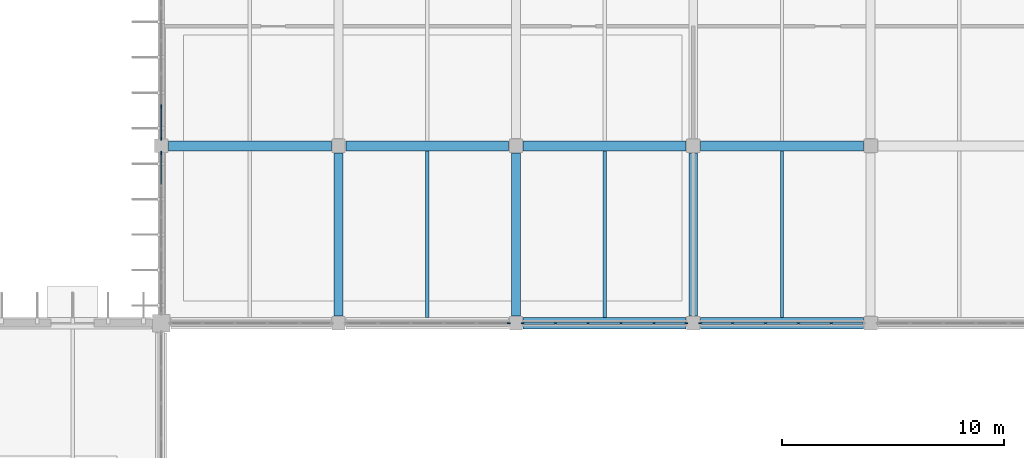
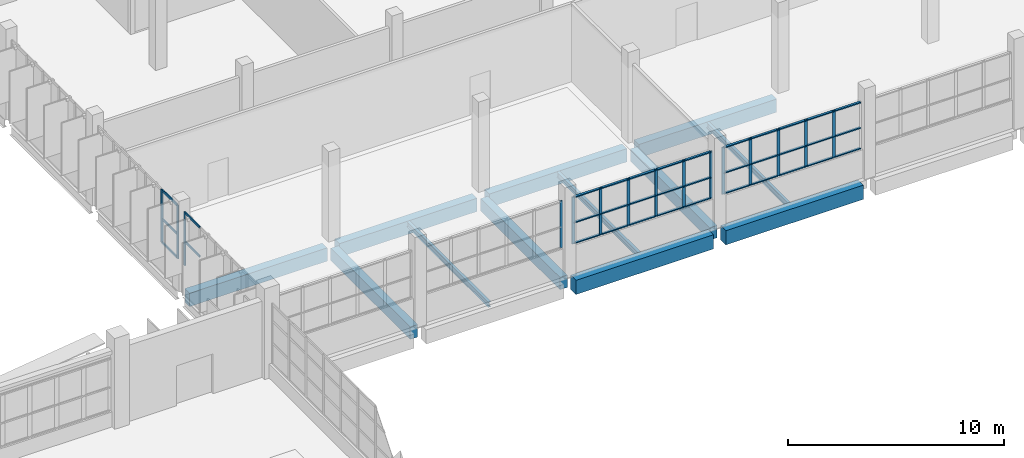
# One storey, part 35 of 103: 50 members, 12 beams, 5 elements without a shape of their own.
"""IFC4 building model written with IfcOpenShell, lengths in metres."""

from ifc_helpers import new_model, si_unit, direction, frame, origin, origin_2d, place, context, subcontext, project, spatial, rectangle, i_section, extrude, material, layer, layer_set, material_profile, profile_set, type_object, element, aggregate, save


model = new_model("IFC4")

# Units and contexts
model_context = context("Model", 3, precision=1e-05, world=origin(), true_north=direction((0.0, 1.0)))
body_context = subcontext(model_context, "Body", "Model", "MODEL_VIEW")
ifc_project = project(units=[si_unit("LENGTHUNIT", "METRE"), si_unit("AREAUNIT", "SQUARE_METRE"), si_unit("VOLUMEUNIT", "CUBIC_METRE"), si_unit("PLANEANGLEUNIT", "RADIAN"), si_unit("MASSUNIT", "GRAM", prefix="KILO")], contexts=[model_context])

# Site, building, storey
site_placement = place(None, origin())
site = spatial("IfcSite", under=ifc_project, at=site_placement, CompositionType="ELEMENT")
building_placement = place(site_placement, origin())
building = spatial("IfcBuilding", under=site, at=building_placement, Name="Drelvana Railside Aquatics Centre", CompositionType="ELEMENT")
storey_placement = place(building_placement, origin())
storey = spatial("IfcBuildingStorey", under=building, at=storey_placement, Name="L00", CompositionType="ELEMENT", Elevation=0.0)

# Curtain wall, member
ifc_material_1 = material(Name="Bronze-anodised aluminium curtain wall", Category="aluminium")
ifc_layer = layer(ifc_material_1, 0.1650390625, Name="Bronze-anodised aluminium curtain wall")
ifc_layer_set = layer_set([ifc_layer], Name="Bronze-anodised aluminium curtain wall")
curtain_wall_type = type_object("IfcCurtainWallType", Name="CW-Z5-COURT", PredefinedType="NOTDEFINED", material=ifc_layer_set)
curtain_wall_1_placement = place(storey_placement, origin())
curtain_wall_1 = element("IfcCurtainWall", 1, at=curtain_wall_1_placement, inside=storey, type_object=curtain_wall_type, Name="Curtain wall CW-05-117", PredefinedType="NOTDEFINED")
ifc_material_2 = material(Name="Bronze-anodised aluminium 6063-T6", Category="aluminium")
ifc_material_profile_1 = material_profile(ifc_material_2, rectangle(XDim=0.06005859375, YDim=0.14990234375, at=origin_2d()), Name="ALU-M 60x150")
ifc_profile_set_1 = profile_set([ifc_material_profile_1], Name="Bronze-anodised aluminium 6063-T6")
member_type_1 = type_object("IfcMemberType", Name="CW-Z5-COURT-MUL", PredefinedType="MULLION", material=ifc_profile_set_1)
member_1_placement = place(storey_placement, frame((111.676025390625, 84.0, 1.593994140625), z_axis=(0.0, 0.0, 1.0), x_axis=(0.0, 1.0, 0.0)))
member_1 = element("IfcMember", 2, at=member_1_placement, type_object=member_type_1, Name="CW-05 mullion 6", PredefinedType="MULLION", context=body_context, shape_type="SweptSolid", body=[
    extrude(rectangle(XDim=0.06005859375, YDim=0.14990234375, at=origin_2d()), origin(), (0.0, 0.0, 1.0), 2.656005859375),
])
aggregate(curtain_wall_1, [member_1])

# Curtain wall, members
curtain_wall_2_placement = place(storey_placement, origin())
curtain_wall_2 = element("IfcCurtainWall", 3, at=curtain_wall_2_placement, inside=storey, type_object=curtain_wall_type, Name="Curtain wall CW-05-119", PredefinedType="NOTDEFINED")
member_2_placement = place(storey_placement, frame((112.323974609375, 84.0, 1.593994140625), z_axis=(0.0, 0.0, 1.0), x_axis=(0.0, 1.0, 0.0)))
member_2 = element("IfcMember", 4, at=member_2_placement, type_object=member_type_1, Name="CW-05 mullion 1", PredefinedType="MULLION", context=body_context, shape_type="SweptSolid", body=[
    extrude(rectangle(XDim=0.06005859375, YDim=0.14990234375, at=origin_2d()), origin(), (0.0, 0.0, 1.0), 2.656005859375),
])
member_3_placement = place(storey_placement, frame((113.7763671875, 84.0, 1.593994140625), z_axis=(0.0, 0.0, 1.0), x_axis=(0.0, 1.0, 0.0)))
member_3 = element("IfcMember", 5, at=member_3_placement, type_object=member_type_1, Name="CW-05 mullion 2", PredefinedType="MULLION", context=body_context, shape_type="SweptSolid", body=[
    extrude(rectangle(XDim=0.06005859375, YDim=0.14990234375, at=origin_2d()), origin(), (0.0, 0.0, 1.0), 2.656005859375),
])
member_4_placement = place(storey_placement, frame((115.2587890625, 84.0, 1.593994140625), z_axis=(0.0, 0.0, 1.0), x_axis=(0.0, 1.0, 0.0)))
member_4 = element("IfcMember", 6, at=member_4_placement, type_object=member_type_1, Name="CW-05 mullion 3", PredefinedType="MULLION", context=body_context, shape_type="SweptSolid", body=[
    extrude(rectangle(XDim=0.06005859375, YDim=0.14990234375, at=origin_2d()), origin(), (0.0, 0.0, 1.0), 2.656005859375),
])
member_5_placement = place(storey_placement, frame((116.7412109375, 84.0, 1.593994140625), z_axis=(0.0, 0.0, 1.0), x_axis=(0.0, 1.0, 0.0)))
member_5 = element("IfcMember", 7, at=member_5_placement, type_object=member_type_1, Name="CW-05 mullion 4", PredefinedType="MULLION", context=body_context, shape_type="SweptSolid", body=[
    extrude(rectangle(XDim=0.06005859375, YDim=0.14990234375, at=origin_2d()), origin(), (0.0, 0.0, 1.0), 2.656005859375),
])
member_6_placement = place(storey_placement, frame((118.2236328125, 84.0, 1.593994140625), z_axis=(0.0, 0.0, 1.0), x_axis=(0.0, 1.0, 0.0)))
member_6 = element("IfcMember", 8, at=member_6_placement, type_object=member_type_1, Name="CW-05 mullion 5", PredefinedType="MULLION", context=body_context, shape_type="SweptSolid", body=[
    extrude(rectangle(XDim=0.06005859375, YDim=0.14990234375, at=origin_2d()), origin(), (0.0, 0.0, 1.0), 2.656005859375),
])
member_7_placement = place(storey_placement, frame((119.676025390625, 84.0, 1.593994140625), z_axis=(0.0, 0.0, 1.0), x_axis=(0.0, 1.0, 0.0)))
member_7 = element("IfcMember", 9, at=member_7_placement, type_object=member_type_1, Name="CW-05 mullion 6", PredefinedType="MULLION", context=body_context, shape_type="SweptSolid", body=[
    extrude(rectangle(XDim=0.06005859375, YDim=0.14990234375, at=origin_2d()), origin(), (0.0, 0.0, 1.0), 2.656005859375),
])

curtain_wall_3_placement = place(storey_placement, origin())
curtain_wall_3 = element("IfcCurtainWall", 10, at=curtain_wall_3_placement, inside=storey, type_object=curtain_wall_type, Name="Curtain wall CW-05-121", PredefinedType="NOTDEFINED")
member_8_placement = place(storey_placement, frame((120.323974609375, 84.0, 1.593994140625), z_axis=(0.0, 0.0, 1.0), x_axis=(0.0, 1.0, 0.0)))
member_8 = element("IfcMember", 11, at=member_8_placement, type_object=member_type_1, Name="CW-05 mullion 1", PredefinedType="MULLION", context=body_context, shape_type="SweptSolid", body=[
    extrude(rectangle(XDim=0.06005859375, YDim=0.14990234375, at=origin_2d()), origin(), (0.0, 0.0, 1.0), 2.656005859375),
])
member_9_placement = place(storey_placement, frame((121.7763671875, 84.0, 1.593994140625), z_axis=(0.0, 0.0, 1.0), x_axis=(0.0, 1.0, 0.0)))
member_9 = element("IfcMember", 12, at=member_9_placement, type_object=member_type_1, Name="CW-05 mullion 2", PredefinedType="MULLION", context=body_context, shape_type="SweptSolid", body=[
    extrude(rectangle(XDim=0.06005859375, YDim=0.14990234375, at=origin_2d()), origin(), (0.0, 0.0, 1.0), 2.656005859375),
])
member_10_placement = place(storey_placement, frame((123.2587890625, 84.0, 1.593994140625), z_axis=(0.0, 0.0, 1.0), x_axis=(0.0, 1.0, 0.0)))
member_10 = element("IfcMember", 13, at=member_10_placement, type_object=member_type_1, Name="CW-05 mullion 3", PredefinedType="MULLION", context=body_context, shape_type="SweptSolid", body=[
    extrude(rectangle(XDim=0.06005859375, YDim=0.14990234375, at=origin_2d()), origin(), (0.0, 0.0, 1.0), 2.656005859375),
])
member_11_placement = place(storey_placement, frame((124.7412109375, 84.0, 1.593994140625), z_axis=(0.0, 0.0, 1.0), x_axis=(0.0, 1.0, 0.0)))
member_11 = element("IfcMember", 14, at=member_11_placement, type_object=member_type_1, Name="CW-05 mullion 4", PredefinedType="MULLION", context=body_context, shape_type="SweptSolid", body=[
    extrude(rectangle(XDim=0.06005859375, YDim=0.14990234375, at=origin_2d()), origin(), (0.0, 0.0, 1.0), 2.656005859375),
])
member_12_placement = place(storey_placement, frame((126.2236328125, 84.0, 1.593994140625), z_axis=(0.0, 0.0, 1.0), x_axis=(0.0, 1.0, 0.0)))
member_12 = element("IfcMember", 15, at=member_12_placement, type_object=member_type_1, Name="CW-05 mullion 5", PredefinedType="MULLION", context=body_context, shape_type="SweptSolid", body=[
    extrude(rectangle(XDim=0.06005859375, YDim=0.14990234375, at=origin_2d()), origin(), (0.0, 0.0, 1.0), 2.656005859375),
])

# Curtain wall, member
curtain_wall_4_placement = place(storey_placement, origin())
curtain_wall_4 = element("IfcCurtainWall", 16, at=curtain_wall_4_placement, inside=storey, type_object=curtain_wall_type, Name="Curtain wall CW-05-127", PredefinedType="NOTDEFINED")
member_13_placement = place(storey_placement, frame((96.0, 91.676025390625, 1.444091796875), z_axis=(0.0, 0.0, 1.0), x_axis=(-1.0, 0.0, 0.0)))
member_13 = element("IfcMember", 17, at=member_13_placement, type_object=member_type_1, Name="CW-05 mullion 6", PredefinedType="MULLION", context=body_context, shape_type="SweptSolid", body=[
    extrude(rectangle(XDim=0.06005859375, YDim=0.14990234375, at=origin_2d()), origin(), (0.0, 0.0, 1.0), 3.005859375),
])

# Curtain wall, members
curtain_wall_5_placement = place(storey_placement, origin())
curtain_wall_5 = element("IfcCurtainWall", 18, at=curtain_wall_5_placement, inside=storey, type_object=curtain_wall_type, Name="Curtain wall CW-05-129", PredefinedType="NOTDEFINED")
member_14_placement = place(storey_placement, frame((96.0, 92.323974609375, 1.444091796875), z_axis=(0.0, 0.0, 1.0), x_axis=(-1.0, 0.0, 0.0)))
member_14 = element("IfcMember", 19, at=member_14_placement, type_object=member_type_1, Name="CW-05 mullion 1", PredefinedType="MULLION", context=body_context, shape_type="SweptSolid", body=[
    extrude(rectangle(XDim=0.06005859375, YDim=0.14990234375, at=origin_2d()), origin(), (0.0, 0.0, 1.0), 3.005859375),
])
member_15_placement = place(storey_placement, frame((96.0, 93.7763671875, 1.444091796875), z_axis=(0.0, 0.0, 1.0), x_axis=(-1.0, 0.0, 0.0)))
member_15 = element("IfcMember", 20, at=member_15_placement, type_object=member_type_1, Name="CW-05 mullion 2", PredefinedType="MULLION", context=body_context, shape_type="SweptSolid", body=[
    extrude(rectangle(XDim=0.06005859375, YDim=0.14990234375, at=origin_2d()), origin(), (0.0, 0.0, 1.0), 3.005859375),
])

# Member
ifc_material_profile_2 = material_profile(ifc_material_2, rectangle(XDim=0.1201171875, YDim=0.06005859375, at=origin_2d()), Name="ALU-T 60x120")
ifc_profile_set_2 = profile_set([ifc_material_profile_2], Name="Bronze-anodised aluminium 6063-T6")
member_type_2 = type_object("IfcMemberType", Name="CW-Z5-COURT-TRN", PredefinedType="USERDEFINED", material=ifc_profile_set_2)
member_16_placement = place(storey_placement, frame((112.34912109375, 84.0, 1.6240234375), z_axis=(1.0, 0.0, 0.0), x_axis=(0.0, 1.0, 0.0)))
member_16 = element("IfcMember", 21, at=member_16_placement, type_object=member_type_2, Name="CW-05 transom 1.1", ObjectType="TRANSOM", PredefinedType="USERDEFINED", context=body_context, shape_type="SweptSolid", body=[
    extrude(rectangle(XDim=0.1201171875, YDim=0.06005859375, at=origin_2d()), origin(), (0.0, 0.0, 1.0), 1.40234375),
])

member_17_placement = place(storey_placement, frame((112.34912109375, 84.0, 2.7890625), z_axis=(1.0, 0.0, 0.0), x_axis=(0.0, 1.0, 0.0)))
member_17 = element("IfcMember", 22, at=member_17_placement, type_object=member_type_2, Name="CW-05 transom 1.2", ObjectType="TRANSOM", PredefinedType="USERDEFINED", context=body_context, shape_type="SweptSolid", body=[
    extrude(rectangle(XDim=0.1201171875, YDim=0.06005859375, at=origin_2d()), origin(), (0.0, 0.0, 1.0), 1.40234375),
])

member_18_placement = place(storey_placement, frame((112.34912109375, 84.0, 4.219970703125), z_axis=(1.0, 0.0, 0.0), x_axis=(0.0, 1.0, 0.0)))
member_18 = element("IfcMember", 23, at=member_18_placement, type_object=member_type_2, Name="CW-05 transom 1.3", ObjectType="TRANSOM", PredefinedType="USERDEFINED", context=body_context, shape_type="SweptSolid", body=[
    extrude(rectangle(XDim=0.1201171875, YDim=0.06005859375, at=origin_2d()), origin(), (0.0, 0.0, 1.0), 1.40234375),
])

member_19_placement = place(storey_placement, frame((113.801513671875, 84.0, 1.6240234375), z_axis=(1.0, 0.0, 0.0), x_axis=(0.0, 1.0, 0.0)))
member_19 = element("IfcMember", 24, at=member_19_placement, type_object=member_type_2, Name="CW-05 transom 2.1", ObjectType="TRANSOM", PredefinedType="USERDEFINED", context=body_context, shape_type="SweptSolid", body=[
    extrude(rectangle(XDim=0.1201171875, YDim=0.06005859375, at=origin_2d()), origin(), (0.0, 0.0, 1.0), 1.432373046875),
])

member_20_placement = place(storey_placement, frame((113.801513671875, 84.0, 2.7890625), z_axis=(1.0, 0.0, 0.0), x_axis=(0.0, 1.0, 0.0)))
member_20 = element("IfcMember", 25, at=member_20_placement, type_object=member_type_2, Name="CW-05 transom 2.2", ObjectType="TRANSOM", PredefinedType="USERDEFINED", context=body_context, shape_type="SweptSolid", body=[
    extrude(rectangle(XDim=0.1201171875, YDim=0.06005859375, at=origin_2d()), origin(), (0.0, 0.0, 1.0), 1.432373046875),
])

member_21_placement = place(storey_placement, frame((113.801513671875, 84.0, 4.219970703125), z_axis=(1.0, 0.0, 0.0), x_axis=(0.0, 1.0, 0.0)))
member_21 = element("IfcMember", 26, at=member_21_placement, type_object=member_type_2, Name="CW-05 transom 2.3", ObjectType="TRANSOM", PredefinedType="USERDEFINED", context=body_context, shape_type="SweptSolid", body=[
    extrude(rectangle(XDim=0.1201171875, YDim=0.06005859375, at=origin_2d()), origin(), (0.0, 0.0, 1.0), 1.432373046875),
])

member_22_placement = place(storey_placement, frame((115.28369140625, 84.0, 1.6240234375), z_axis=(1.0, 0.0, 0.0), x_axis=(0.0, 1.0, 0.0)))
member_22 = element("IfcMember", 27, at=member_22_placement, type_object=member_type_2, Name="CW-05 transom 3.1", ObjectType="TRANSOM", PredefinedType="USERDEFINED", context=body_context, shape_type="SweptSolid", body=[
    extrude(rectangle(XDim=0.1201171875, YDim=0.06005859375, at=origin_2d()), origin(), (0.0, 0.0, 1.0), 1.4326171875),
])

member_23_placement = place(storey_placement, frame((115.28369140625, 84.0, 2.7890625), z_axis=(1.0, 0.0, 0.0), x_axis=(0.0, 1.0, 0.0)))
member_23 = element("IfcMember", 28, at=member_23_placement, type_object=member_type_2, Name="CW-05 transom 3.2", ObjectType="TRANSOM", PredefinedType="USERDEFINED", context=body_context, shape_type="SweptSolid", body=[
    extrude(rectangle(XDim=0.1201171875, YDim=0.06005859375, at=origin_2d()), origin(), (0.0, 0.0, 1.0), 1.4326171875),
])

member_24_placement = place(storey_placement, frame((115.28369140625, 84.0, 4.219970703125), z_axis=(1.0, 0.0, 0.0), x_axis=(0.0, 1.0, 0.0)))
member_24 = element("IfcMember", 29, at=member_24_placement, type_object=member_type_2, Name="CW-05 transom 3.3", ObjectType="TRANSOM", PredefinedType="USERDEFINED", context=body_context, shape_type="SweptSolid", body=[
    extrude(rectangle(XDim=0.1201171875, YDim=0.06005859375, at=origin_2d()), origin(), (0.0, 0.0, 1.0), 1.4326171875),
])

member_25_placement = place(storey_placement, frame((116.76611328125, 84.0, 1.6240234375), z_axis=(1.0, 0.0, 0.0), x_axis=(0.0, 1.0, 0.0)))
member_25 = element("IfcMember", 30, at=member_25_placement, type_object=member_type_2, Name="CW-05 transom 4.1", ObjectType="TRANSOM", PredefinedType="USERDEFINED", context=body_context, shape_type="SweptSolid", body=[
    extrude(rectangle(XDim=0.1201171875, YDim=0.06005859375, at=origin_2d()), origin(), (0.0, 0.0, 1.0), 1.432373046875),
])

member_26_placement = place(storey_placement, frame((116.76611328125, 84.0, 2.7890625), z_axis=(1.0, 0.0, 0.0), x_axis=(0.0, 1.0, 0.0)))
member_26 = element("IfcMember", 31, at=member_26_placement, type_object=member_type_2, Name="CW-05 transom 4.2", ObjectType="TRANSOM", PredefinedType="USERDEFINED", context=body_context, shape_type="SweptSolid", body=[
    extrude(rectangle(XDim=0.1201171875, YDim=0.06005859375, at=origin_2d()), origin(), (0.0, 0.0, 1.0), 1.432373046875),
])

member_27_placement = place(storey_placement, frame((116.76611328125, 84.0, 4.219970703125), z_axis=(1.0, 0.0, 0.0), x_axis=(0.0, 1.0, 0.0)))
member_27 = element("IfcMember", 32, at=member_27_placement, type_object=member_type_2, Name="CW-05 transom 4.3", ObjectType="TRANSOM", PredefinedType="USERDEFINED", context=body_context, shape_type="SweptSolid", body=[
    extrude(rectangle(XDim=0.1201171875, YDim=0.06005859375, at=origin_2d()), origin(), (0.0, 0.0, 1.0), 1.432373046875),
])

member_28_placement = place(storey_placement, frame((118.24853515625, 84.0, 1.6240234375), z_axis=(1.0, 0.0, 0.0), x_axis=(0.0, 1.0, 0.0)))
member_28 = element("IfcMember", 33, at=member_28_placement, type_object=member_type_2, Name="CW-05 transom 5.1", ObjectType="TRANSOM", PredefinedType="USERDEFINED", context=body_context, shape_type="SweptSolid", body=[
    extrude(rectangle(XDim=0.1201171875, YDim=0.06005859375, at=origin_2d()), origin(), (0.0, 0.0, 1.0), 1.40234375),
])

member_29_placement = place(storey_placement, frame((118.24853515625, 84.0, 2.7890625), z_axis=(1.0, 0.0, 0.0), x_axis=(0.0, 1.0, 0.0)))
member_29 = element("IfcMember", 34, at=member_29_placement, type_object=member_type_2, Name="CW-05 transom 5.2", ObjectType="TRANSOM", PredefinedType="USERDEFINED", context=body_context, shape_type="SweptSolid", body=[
    extrude(rectangle(XDim=0.1201171875, YDim=0.06005859375, at=origin_2d()), origin(), (0.0, 0.0, 1.0), 1.40234375),
])

member_30_placement = place(storey_placement, frame((118.24853515625, 84.0, 4.219970703125), z_axis=(1.0, 0.0, 0.0), x_axis=(0.0, 1.0, 0.0)))
member_30 = element("IfcMember", 35, at=member_30_placement, type_object=member_type_2, Name="CW-05 transom 5.3", ObjectType="TRANSOM", PredefinedType="USERDEFINED", context=body_context, shape_type="SweptSolid", body=[
    extrude(rectangle(XDim=0.1201171875, YDim=0.06005859375, at=origin_2d()), origin(), (0.0, 0.0, 1.0), 1.40234375),
])

aggregate(curtain_wall_2, [member_2, member_3, member_4, member_5, member_6, member_7, member_16, member_17, member_18, member_19, member_20, member_21, member_22, member_23, member_24, member_25, member_26, member_27, member_28, member_29, member_30])

member_31_placement = place(storey_placement, frame((120.34912109375, 84.0, 1.6240234375), z_axis=(1.0, 0.0, 0.0), x_axis=(0.0, 1.0, 0.0)))
member_31 = element("IfcMember", 36, at=member_31_placement, type_object=member_type_2, Name="CW-05 transom 1.1", ObjectType="TRANSOM", PredefinedType="USERDEFINED", context=body_context, shape_type="SweptSolid", body=[
    extrude(rectangle(XDim=0.1201171875, YDim=0.06005859375, at=origin_2d()), origin(), (0.0, 0.0, 1.0), 1.40234375),
])

member_32_placement = place(storey_placement, frame((120.34912109375, 84.0, 2.7890625), z_axis=(1.0, 0.0, 0.0), x_axis=(0.0, 1.0, 0.0)))
member_32 = element("IfcMember", 37, at=member_32_placement, type_object=member_type_2, Name="CW-05 transom 1.2", ObjectType="TRANSOM", PredefinedType="USERDEFINED", context=body_context, shape_type="SweptSolid", body=[
    extrude(rectangle(XDim=0.1201171875, YDim=0.06005859375, at=origin_2d()), origin(), (0.0, 0.0, 1.0), 1.40234375),
])

member_33_placement = place(storey_placement, frame((120.34912109375, 84.0, 4.219970703125), z_axis=(1.0, 0.0, 0.0), x_axis=(0.0, 1.0, 0.0)))
member_33 = element("IfcMember", 38, at=member_33_placement, type_object=member_type_2, Name="CW-05 transom 1.3", ObjectType="TRANSOM", PredefinedType="USERDEFINED", context=body_context, shape_type="SweptSolid", body=[
    extrude(rectangle(XDim=0.1201171875, YDim=0.06005859375, at=origin_2d()), origin(), (0.0, 0.0, 1.0), 1.40234375),
])

member_34_placement = place(storey_placement, frame((121.801513671875, 84.0, 1.6240234375), z_axis=(1.0, 0.0, 0.0), x_axis=(0.0, 1.0, 0.0)))
member_34 = element("IfcMember", 39, at=member_34_placement, type_object=member_type_2, Name="CW-05 transom 2.1", ObjectType="TRANSOM", PredefinedType="USERDEFINED", context=body_context, shape_type="SweptSolid", body=[
    extrude(rectangle(XDim=0.1201171875, YDim=0.06005859375, at=origin_2d()), origin(), (0.0, 0.0, 1.0), 1.432373046875),
])

member_35_placement = place(storey_placement, frame((121.801513671875, 84.0, 2.7890625), z_axis=(1.0, 0.0, 0.0), x_axis=(0.0, 1.0, 0.0)))
member_35 = element("IfcMember", 40, at=member_35_placement, type_object=member_type_2, Name="CW-05 transom 2.2", ObjectType="TRANSOM", PredefinedType="USERDEFINED", context=body_context, shape_type="SweptSolid", body=[
    extrude(rectangle(XDim=0.1201171875, YDim=0.06005859375, at=origin_2d()), origin(), (0.0, 0.0, 1.0), 1.432373046875),
])

member_36_placement = place(storey_placement, frame((121.801513671875, 84.0, 4.219970703125), z_axis=(1.0, 0.0, 0.0), x_axis=(0.0, 1.0, 0.0)))
member_36 = element("IfcMember", 41, at=member_36_placement, type_object=member_type_2, Name="CW-05 transom 2.3", ObjectType="TRANSOM", PredefinedType="USERDEFINED", context=body_context, shape_type="SweptSolid", body=[
    extrude(rectangle(XDim=0.1201171875, YDim=0.06005859375, at=origin_2d()), origin(), (0.0, 0.0, 1.0), 1.432373046875),
])

member_37_placement = place(storey_placement, frame((123.28369140625, 84.0, 1.6240234375), z_axis=(1.0, 0.0, 0.0), x_axis=(0.0, 1.0, 0.0)))
member_37 = element("IfcMember", 42, at=member_37_placement, type_object=member_type_2, Name="CW-05 transom 3.1", ObjectType="TRANSOM", PredefinedType="USERDEFINED", context=body_context, shape_type="SweptSolid", body=[
    extrude(rectangle(XDim=0.1201171875, YDim=0.06005859375, at=origin_2d()), origin(), (0.0, 0.0, 1.0), 1.4326171875),
])

member_38_placement = place(storey_placement, frame((123.28369140625, 84.0, 2.7890625), z_axis=(1.0, 0.0, 0.0), x_axis=(0.0, 1.0, 0.0)))
member_38 = element("IfcMember", 43, at=member_38_placement, type_object=member_type_2, Name="CW-05 transom 3.2", ObjectType="TRANSOM", PredefinedType="USERDEFINED", context=body_context, shape_type="SweptSolid", body=[
    extrude(rectangle(XDim=0.1201171875, YDim=0.06005859375, at=origin_2d()), origin(), (0.0, 0.0, 1.0), 1.4326171875),
])

member_39_placement = place(storey_placement, frame((123.28369140625, 84.0, 4.219970703125), z_axis=(1.0, 0.0, 0.0), x_axis=(0.0, 1.0, 0.0)))
member_39 = element("IfcMember", 44, at=member_39_placement, type_object=member_type_2, Name="CW-05 transom 3.3", ObjectType="TRANSOM", PredefinedType="USERDEFINED", context=body_context, shape_type="SweptSolid", body=[
    extrude(rectangle(XDim=0.1201171875, YDim=0.06005859375, at=origin_2d()), origin(), (0.0, 0.0, 1.0), 1.4326171875),
])

member_40_placement = place(storey_placement, frame((124.76611328125, 84.0, 1.6240234375), z_axis=(1.0, 0.0, 0.0), x_axis=(0.0, 1.0, 0.0)))
member_40 = element("IfcMember", 45, at=member_40_placement, type_object=member_type_2, Name="CW-05 transom 4.1", ObjectType="TRANSOM", PredefinedType="USERDEFINED", context=body_context, shape_type="SweptSolid", body=[
    extrude(rectangle(XDim=0.1201171875, YDim=0.06005859375, at=origin_2d()), origin(), (0.0, 0.0, 1.0), 1.432373046875),
])

member_41_placement = place(storey_placement, frame((124.76611328125, 84.0, 2.7890625), z_axis=(1.0, 0.0, 0.0), x_axis=(0.0, 1.0, 0.0)))
member_41 = element("IfcMember", 46, at=member_41_placement, type_object=member_type_2, Name="CW-05 transom 4.2", ObjectType="TRANSOM", PredefinedType="USERDEFINED", context=body_context, shape_type="SweptSolid", body=[
    extrude(rectangle(XDim=0.1201171875, YDim=0.06005859375, at=origin_2d()), origin(), (0.0, 0.0, 1.0), 1.432373046875),
])

member_42_placement = place(storey_placement, frame((124.76611328125, 84.0, 4.219970703125), z_axis=(1.0, 0.0, 0.0), x_axis=(0.0, 1.0, 0.0)))
member_42 = element("IfcMember", 47, at=member_42_placement, type_object=member_type_2, Name="CW-05 transom 4.3", ObjectType="TRANSOM", PredefinedType="USERDEFINED", context=body_context, shape_type="SweptSolid", body=[
    extrude(rectangle(XDim=0.1201171875, YDim=0.06005859375, at=origin_2d()), origin(), (0.0, 0.0, 1.0), 1.432373046875),
])

member_43_placement = place(storey_placement, frame((126.24853515625, 84.0, 1.6240234375), z_axis=(1.0, 0.0, 0.0), x_axis=(0.0, 1.0, 0.0)))
member_43 = element("IfcMember", 48, at=member_43_placement, type_object=member_type_2, Name="CW-05 transom 5.1", ObjectType="TRANSOM", PredefinedType="USERDEFINED", context=body_context, shape_type="SweptSolid", body=[
    extrude(rectangle(XDim=0.1201171875, YDim=0.06005859375, at=origin_2d()), origin(), (0.0, 0.0, 1.0), 1.40234375),
])

member_44_placement = place(storey_placement, frame((126.24853515625, 84.0, 2.7890625), z_axis=(1.0, 0.0, 0.0), x_axis=(0.0, 1.0, 0.0)))
member_44 = element("IfcMember", 49, at=member_44_placement, type_object=member_type_2, Name="CW-05 transom 5.2", ObjectType="TRANSOM", PredefinedType="USERDEFINED", context=body_context, shape_type="SweptSolid", body=[
    extrude(rectangle(XDim=0.1201171875, YDim=0.06005859375, at=origin_2d()), origin(), (0.0, 0.0, 1.0), 1.40234375),
])

member_45_placement = place(storey_placement, frame((126.24853515625, 84.0, 4.219970703125), z_axis=(1.0, 0.0, 0.0), x_axis=(0.0, 1.0, 0.0)))
member_45 = element("IfcMember", 50, at=member_45_placement, type_object=member_type_2, Name="CW-05 transom 5.3", ObjectType="TRANSOM", PredefinedType="USERDEFINED", context=body_context, shape_type="SweptSolid", body=[
    extrude(rectangle(XDim=0.1201171875, YDim=0.06005859375, at=origin_2d()), origin(), (0.0, 0.0, 1.0), 1.40234375),
])

aggregate(curtain_wall_3, [member_8, member_9, member_10, member_11, member_12, member_31, member_32, member_33, member_34, member_35, member_36, member_37, member_38, member_39, member_40, member_41, member_42, member_43, member_44, member_45])

member_46_placement = place(storey_placement, frame((96.0, 90.2685546875, 2.797119140625), z_axis=(0.0, 1.0, 0.0), x_axis=(0.0, 0.0, 1.0)))
member_46 = element("IfcMember", 51, at=member_46_placement, type_object=member_type_2, Name="CW-05 transom 5.2", ObjectType="TRANSOM", PredefinedType="USERDEFINED", context=body_context, shape_type="SweptSolid", body=[
    extrude(rectangle(XDim=0.1201171875, YDim=0.06005859375, at=origin_2d()), origin(), (0.0, 0.0, 1.0), 1.38232421875),
])

member_47_placement = place(storey_placement, frame((96.0, 90.2685546875, 4.419921875), z_axis=(0.0, 1.0, 0.0), x_axis=(0.0, 0.0, 1.0)))
member_47 = element("IfcMember", 52, at=member_47_placement, type_object=member_type_2, Name="CW-05 transom 5.3", ObjectType="TRANSOM", PredefinedType="USERDEFINED", context=body_context, shape_type="SweptSolid", body=[
    extrude(rectangle(XDim=0.1201171875, YDim=0.06005859375, at=origin_2d()), origin(), (0.0, 0.0, 1.0), 1.38232421875),
])

aggregate(curtain_wall_4, [member_13, member_46, member_47])

member_48_placement = place(storey_placement, frame((96.0, 92.34912109375, 1.47412109375), z_axis=(0.0, 1.0, 0.0), x_axis=(0.0, 0.0, 1.0)))
member_48 = element("IfcMember", 53, at=member_48_placement, type_object=member_type_2, Name="CW-05 transom 1.1", ObjectType="TRANSOM", PredefinedType="USERDEFINED", context=body_context, shape_type="SweptSolid", body=[
    extrude(rectangle(XDim=0.1201171875, YDim=0.06005859375, at=origin_2d()), origin(), (0.0, 0.0, 1.0), 1.40234375),
])

member_49_placement = place(storey_placement, frame((96.0, 92.34912109375, 2.797119140625), z_axis=(0.0, 1.0, 0.0), x_axis=(0.0, 0.0, 1.0)))
member_49 = element("IfcMember", 54, at=member_49_placement, type_object=member_type_2, Name="CW-05 transom 1.2", ObjectType="TRANSOM", PredefinedType="USERDEFINED", context=body_context, shape_type="SweptSolid", body=[
    extrude(rectangle(XDim=0.1201171875, YDim=0.06005859375, at=origin_2d()), origin(), (0.0, 0.0, 1.0), 1.40234375),
])

member_50_placement = place(storey_placement, frame((96.0, 92.34912109375, 4.419921875), z_axis=(0.0, 1.0, 0.0), x_axis=(0.0, 0.0, 1.0)))
member_50 = element("IfcMember", 55, at=member_50_placement, type_object=member_type_2, Name="CW-05 transom 1.3", ObjectType="TRANSOM", PredefinedType="USERDEFINED", context=body_context, shape_type="SweptSolid", body=[
    extrude(rectangle(XDim=0.1201171875, YDim=0.06005859375, at=origin_2d()), origin(), (0.0, 0.0, 1.0), 1.40234375),
])

aggregate(curtain_wall_5, [member_14, member_15, member_48, member_49, member_50])

# Beams
ifc_material_3 = material(Name="Concrete C40/50", Category="concrete")
ifc_material_profile_3 = material_profile(ifc_material_3, rectangle(XDim=0.39990234375, YDim=0.699951171875, at=origin_2d()), Name="RC 400x700")
ifc_profile_set_3 = profile_set([ifc_material_profile_3], Name="Concrete C40/50")
beam_type_1 = type_object("IfcBeamType", Name="STR-BM-BM-03-RC-400x700", PredefinedType="BEAM", material=ifc_profile_set_3)
for number, where, z_axis, x_axis, name in (
    (56, (104.0, 84.324951171875, -0.679931640625), (0.0, 1.0, 0.0), (-1.0, 0.0, 0.0), "Girder BM-03 (L00)"),
    (57, (112.0, 84.324951171875, -0.679931640625), (0.0, 1.0, 0.0), (-1.0, 0.0, 0.0), "Girder BM-03 (L00)"),
    (58, (120.0, 84.324951171875, -0.679931640625), (0.0, 1.0, 0.0), (-1.0, 0.0, 0.0), "Girder BM-03 (L00)"),
):
    element("IfcBeam", number, at=place(storey_placement, frame(where, z_axis=z_axis, x_axis=x_axis)), inside=storey, type_object=beam_type_1, Name=name, PredefinedType="BEAM", context=body_context, shape_type="SweptSolid", body=[
        extrude(rectangle(XDim=0.39990234375, YDim=0.699951171875, at=origin_2d()), origin(), (0.0, 0.0, 1.0), 7.35009765625),
    ])
ifc_material_profile_4 = material_profile(ifc_material_3, rectangle(XDim=0.449951171875, YDim=0.75, at=origin_2d()), Name="RC 450x750")
ifc_profile_set_4 = profile_set([ifc_material_profile_4], Name="Concrete C40/50")
beam_type_2 = type_object("IfcBeamType", Name="STR-BM-BM-04-RC-450x750", PredefinedType="BEAM", material=ifc_profile_set_4)
for number, where, z_axis, x_axis, name in (
    (59, (96.324951171875, 92.0, -0.705078125), (1.0, 0.0, 0.0), (0.0, 1.0, 0.0), "Girder BM-04 (L00)"),
    (60, (104.324951171875, 92.0, -0.705078125), (1.0, 0.0, 0.0), (0.0, 1.0, 0.0), "Girder BM-04 (L00)"),
    (61, (112.324951171875, 92.0, -0.705078125), (1.0, 0.0, 0.0), (0.0, 1.0, 0.0), "Girder BM-04 (L00)"),
    (62, (120.324951171875, 92.0, -0.705078125), (1.0, 0.0, 0.0), (0.0, 1.0, 0.0), "Girder BM-04 (L00)"),
):
    element("IfcBeam", number, at=place(storey_placement, frame(where, z_axis=z_axis, x_axis=x_axis)), inside=storey, type_object=beam_type_2, Name=name, PredefinedType="BEAM", context=body_context, shape_type="SweptSolid", body=[
        extrude(rectangle(XDim=0.449951171875, YDim=0.75, at=origin_2d()), origin(), (0.0, 0.0, 1.0), 7.35009765625),
    ])
ifc_material_profile_5 = material_profile(ifc_material_3, rectangle(XDim=0.5, YDim=0.800048828125, at=origin_2d()), Name="RC 500x800")
ifc_profile_set_5 = profile_set([ifc_material_profile_5], Name="Concrete C40/50")
beam_type_3 = type_object("IfcBeamType", Name="STR-BM-BM-06-RC-500x800", PredefinedType="SPANDREL", material=ifc_profile_set_5)
for number, where, z_axis, x_axis, name in (
    (63, (112.324951171875, 84.0, -0.72998046875), (1.0, 0.0, 0.0), (0.0, 1.0, 0.0), "Girder BM-06 (L00)"),
    (64, (120.324951171875, 84.0, -0.72998046875), (1.0, 0.0, 0.0), (0.0, 1.0, 0.0), "Girder BM-06 (L00)"),
):
    element("IfcBeam", number, at=place(storey_placement, frame(where, z_axis=z_axis, x_axis=x_axis)), inside=storey, type_object=beam_type_3, Name=name, PredefinedType="SPANDREL", context=body_context, shape_type="SweptSolid", body=[
        extrude(rectangle(XDim=0.5, YDim=0.800048828125, at=origin_2d()), origin(), (0.0, 0.0, 1.0), 7.35009765625),
    ])
ifc_material_4 = material(Name="Structural steel S355", Category="steel")
ifc_material_profile_6 = material_profile(ifc_material_4, i_section(OverallWidth=0.14990234375, OverallDepth=0.300048828125, WebThickness=0.007080078125, FlangeThickness=0.0107421875, at=origin_2d()), Name="IPE 300")
ifc_profile_set_6 = profile_set([ifc_material_profile_6], Name="Structural steel S355")
beam_type_4 = type_object("IfcBeamType", Name="STR-SBM-SJ-03-IPE-300", PredefinedType="JOIST", material=ifc_profile_set_6)
for number, where, z_axis, x_axis, name in (
    (65, (108.0, 84.25, -0.47998046875), (0.0, 1.0, 0.0), (-1.0, 0.0, 0.0), "Secondary floor joist SJ-03 (L00)"),
    (66, (116.0, 84.25, -0.47998046875), (0.0, 1.0, 0.0), (-1.0, 0.0, 0.0), "Secondary floor joist SJ-03 (L00)"),
    (67, (124.0, 84.25, -0.47998046875), (0.0, 1.0, 0.0), (-1.0, 0.0, 0.0), "Secondary floor joist SJ-03 (L00)"),
):
    element("IfcBeam", number, at=place(storey_placement, frame(where, z_axis=z_axis, x_axis=x_axis)), inside=storey, type_object=beam_type_4, Name=name, PredefinedType="JOIST", context=body_context, shape_type="SweptSolid", body=[
        extrude(i_section(OverallWidth=0.14990234375, OverallDepth=0.300048828125, WebThickness=0.007080078125, FlangeThickness=0.0107421875, at=origin_2d()), origin(), (0.0, 0.0, 1.0), 7.52490234375),
    ])

save(model, "model.ifc")
